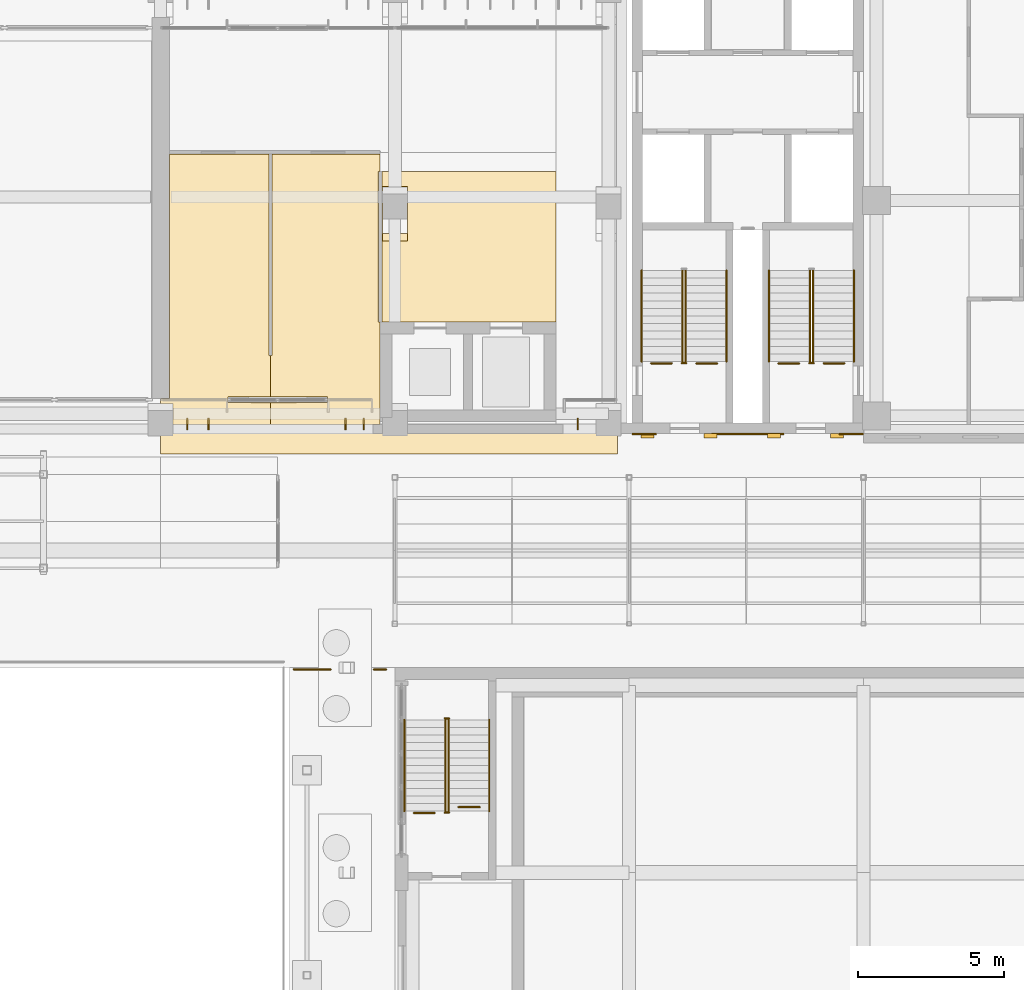
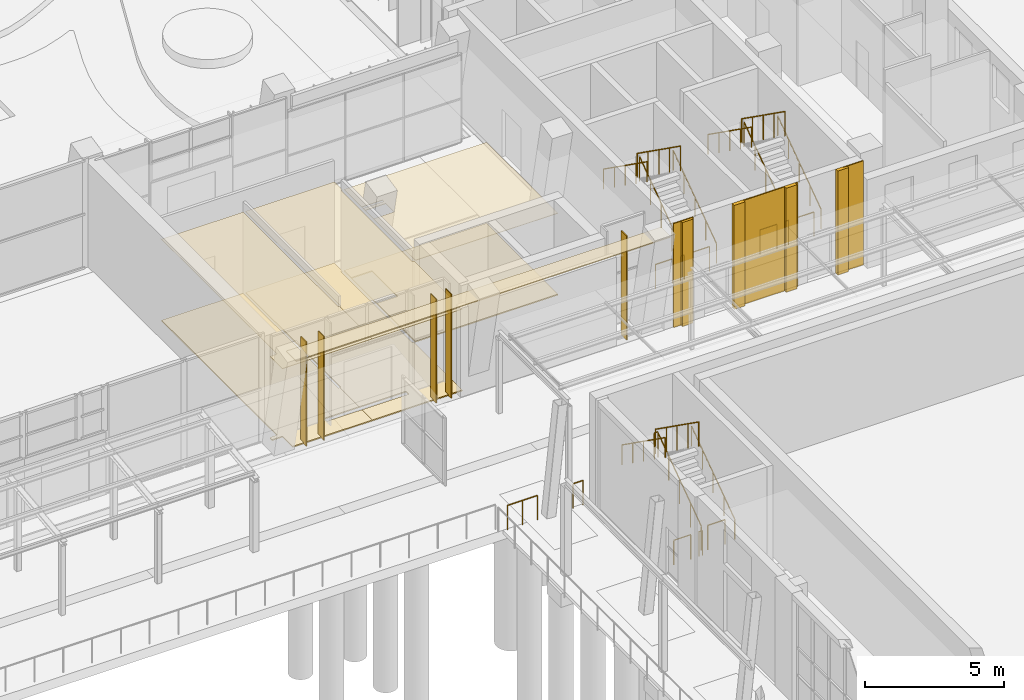
# One storey, part 125 of 144: 24 railings, 14 coverings, 5 shading devices.
"""IFC4 building model written with IfcOpenShell, lengths in metres."""

from ifc_helpers import new_model, si_unit, direction, frame, frame_2d, origin, origin_2d, place, context, subcontext, project, spatial, polyline, rectangle, circle, outline, extrude, material, layer, layer_set, type_object, element, save


model = new_model("IFC4")

# Units and contexts
model_context = context("Model", 3, precision=1e-05, world=origin(), true_north=direction((0.0, 1.0)))
body_context = subcontext(model_context, "Body", "Model", "MODEL_VIEW")
ifc_project = project(units=[si_unit("LENGTHUNIT", "METRE"), si_unit("AREAUNIT", "SQUARE_METRE"), si_unit("VOLUMEUNIT", "CUBIC_METRE"), si_unit("PLANEANGLEUNIT", "RADIAN"), si_unit("MASSUNIT", "GRAM", prefix="KILO")], contexts=[model_context])

# Site, building, storey
site_placement = place(None, origin())
site = spatial("IfcSite", under=ifc_project, at=site_placement, CompositionType="ELEMENT")
building_placement = place(site_placement, origin())
building = spatial("IfcBuilding", under=site, at=building_placement, Name="Lantern Court Media Centre", CompositionType="ELEMENT")
storey_placement = place(building_placement, origin())
storey = spatial("IfcBuildingStorey", under=building, at=storey_placement, Name="L00", CompositionType="ELEMENT", Elevation=0.0)

# Coverings
ifc_material_1 = material(Name="Carpet")
ifc_layer_1 = layer(ifc_material_1, 0.050048828125)
ifc_layer_set_1 = layer_set([ifc_layer_1], Name="Carpet")
covering_type_1 = type_object("IfcCoveringType", Name="Carpet floor finish", PredefinedType="FLOORING", material=ifc_layer_set_1)
covering_1_placement = place(storey_placement, origin())
element("IfcCovering", 1, at=covering_1_placement, inside=storey, type_object=covering_type_1, Name="Visitor Services and Booking floor finish", PredefinedType="FLOORING", context=body_context, shape_type="SweptSolid", body=[
    extrude(outline(polyline([(67.75, 48.300048828125), (64.429931640625, 48.300048828125), (64.429443359375, 49.02734375), (64.0, 49.030029296875), (64.0, 49.195068359375), (64.304931640625, 49.199951171875), (64.304931640625, 57.532470703125), (67.695068359375, 57.532470703125), (67.695068359375, 50.655029296875), (67.75, 50.64990234375), (67.75, 49.2548828125), (66.299560546875, 49.2548828125), (66.294921875, 49.050048828125), (67.75, 49.044921875), (67.75, 48.300048828125)])), origin(), (0.0, 0.0, 1.0), 0.050048828125),
])
covering_2_placement = place(storey_placement, origin())
element("IfcCovering", 2, at=covering_2_placement, inside=storey, type_object=covering_type_1, Name="Media Shop floor finish", PredefinedType="FLOORING", context=body_context, shape_type="SweptSolid", body=[
    extrude(outline(polyline([(71.5, 48.304931640625), (67.75, 48.300048828125), (67.75, 49.044921875), (69.705078125, 49.050048828125), (69.700439453125, 49.2548828125), (67.75, 49.2548828125), (67.75, 50.64990234375), (67.804931640625, 50.655029296875), (67.804931640625, 57.532470703125), (71.5, 57.532470703125), (71.5, 56.955078125), (71.4326171875, 56.949951171875), (71.4326171875, 51.800048828125), (71.4951171875, 51.794921875), (71.5, 48.304931640625)])), origin(), (0.0, 0.0, 1.0), 0.050048828125),
])

# Railings
ifc_material_2 = material(Name="Powder-coated steel", Category="steel")
railing_type_1 = type_object("IfcRailingType", Name="Floor edge guard 1100", PredefinedType="GUARDRAIL", material=ifc_material_2)
railing_1_placement = place(storey_placement, frame((72.64990234375, 35.040283203125, 0.0)))
element("IfcRailing", 3, at=railing_1_placement, inside=storey, type_object=railing_type_1, Name="L00 opening guard 5", PredefinedType="GUARDRAIL", context=body_context, shape_type="SweptSolid", body=[
    extrude(circle(Radius=0.02392578125, at=origin_2d()), frame((0.0, 0.0, 1.076171875), z_axis=(1.0, 0.0, 0.0), x_axis=(0.0, 1.0, 0.0)), (0.0, 0.0, 1.0), 0.703857421875),
    extrude(circle(Radius=0.02099609375, at=origin_2d()), origin(), (0.0, 0.0, 1.0), 1.052001953125),
    extrude(circle(Radius=0.02099609375, at=origin_2d()), frame((0.703857421875, 0.0, 0.0)), (0.0, 0.0, 1.0), 1.052001953125),
])
railing_2_placement = place(storey_placement, frame((74.176025390625, 35.240478515625, 0.0)))
element("IfcRailing", 4, at=railing_2_placement, inside=storey, type_object=railing_type_1, Name="L00 opening guard 6", PredefinedType="GUARDRAIL", context=body_context, shape_type="SweptSolid", body=[
    extrude(circle(Radius=0.02392578125, at=origin_2d()), frame((0.0, 0.0, 1.076171875), z_axis=(1.0, 0.0, 0.0), x_axis=(0.0, 1.0, 0.0)), (0.0, 0.0, 1.0), 0.723876953125),
    extrude(circle(Radius=0.02099609375, at=origin_2d()), origin(), (0.0, 0.0, 1.0), 1.052001953125),
    extrude(circle(Radius=0.02099609375, at=origin_2d()), frame((0.723876953125, 0.0, 0.0)), (0.0, 0.0, 1.0), 1.052001953125),
])
railing_3_placement = place(storey_placement, frame((68.550048828125, 39.93994140625, 0.0)))
element("IfcRailing", 5, at=railing_3_placement, inside=storey, type_object=railing_type_1, Name="L00 opening guard 12", PredefinedType="GUARDRAIL", context=body_context, shape_type="SweptSolid", body=[
    extrude(circle(Radius=0.02392578125, at=origin_2d()), frame((0.0, 0.0, 1.076171875), z_axis=(1.0, 0.0, 0.0), x_axis=(0.0, 1.0, 0.0)), (0.0, 0.0, 1.0), 1.25),
    extrude(circle(Radius=0.02099609375, at=origin_2d()), origin(), (0.0, 0.0, 1.0), 1.052001953125),
    extrude(circle(Radius=0.02099609375, at=origin_2d()), frame((0.625, 0.0, 0.0)), (0.0, 0.0, 1.0), 1.052001953125),
    extrude(circle(Radius=0.02099609375, at=origin_2d()), frame((1.25, 0.0, 0.0)), (0.0, 0.0, 1.0), 1.052001953125),
])
railing_4_placement = place(storey_placement, frame((71.286865234375, 39.93994140625, 0.0)))
element("IfcRailing", 6, at=railing_4_placement, inside=storey, type_object=railing_type_1, Name="L00 opening guard 13", PredefinedType="GUARDRAIL", context=body_context, shape_type="SweptSolid", body=[
    extrude(circle(Radius=0.02392578125, at=origin_2d()), frame((0.0, 0.0, 1.076171875), z_axis=(1.0, 0.0, 0.0), x_axis=(0.0, 1.0, 0.0)), (0.0, 0.0, 1.0), 0.4130859375),
    extrude(circle(Radius=0.02099609375, at=origin_2d()), origin(), (0.0, 0.0, 1.0), 1.052001953125),
    extrude(circle(Radius=0.02099609375, at=origin_2d()), frame((0.4130859375, 0.0, 0.0)), (0.0, 0.0, 1.0), 1.052001953125),
])
railing_5_placement = place(storey_placement, frame((87.35009765625, 50.390380859375, 0.0)))
element("IfcRailing", 7, at=railing_5_placement, inside=storey, type_object=railing_type_1, Name="L00 opening guard 36", PredefinedType="GUARDRAIL", context=body_context, shape_type="SweptSolid", body=[
    extrude(circle(Radius=0.02392578125, at=origin_2d()), frame((0.0, 0.0, 1.076171875), z_axis=(-1.0, 0.0, 0.0), x_axis=(0.0, -1.0, 0.0)), (0.0, 0.0, 1.0), 0.703857421875),
    extrude(circle(Radius=0.02099609375, at=origin_2d()), origin(), (0.0, 0.0, 1.0), 1.052001953125),
    extrude(circle(Radius=0.02099609375, at=origin_2d()), frame((-0.703857421875, 0.0, 0.0)), (0.0, 0.0, 1.0), 1.052001953125),
])
for number, where, name in (
    (8, (85.8037109375, 50.390380859375, 0.0), "L00 opening guard 37"),
    (9, (83.0, 50.390380859375, 0.0), "L00 opening guard 38"),
    (10, (81.45361328125, 50.390380859375, 0.0), "L00 opening guard 39"),
):
    element("IfcRailing", number, at=place(storey_placement, frame(where)), inside=storey, type_object=railing_type_1, Name=name, PredefinedType="GUARDRAIL", context=body_context, shape_type="SweptSolid", body=[
        extrude(circle(Radius=0.02392578125, at=origin_2d()), frame((0.0, 0.0, 1.076171875), z_axis=(-1.0, 0.0, 0.0), x_axis=(0.0, -1.0, 0.0)), (0.0, 0.0, 1.0), 0.70361328125),
        extrude(circle(Radius=0.02099609375, at=origin_2d()), origin(), (0.0, 0.0, 1.0), 1.052001953125),
        extrude(circle(Radius=0.02099609375, at=origin_2d()), frame((-0.70361328125, 0.0, 0.0)), (0.0, 0.0, 1.0), 1.052001953125),
    ])

# Coverings
ifc_material_3 = material(Name="Honed limestone cladding", Category="masonry")
ifc_layer_2 = layer(ifc_material_3, 0.050048828125)
ifc_layer_set_2 = layer_set([ifc_layer_2], Name="Honed limestone cladding")
covering_type_2 = type_object("IfcCoveringType", Name="Limestone cladding panel 50", PredefinedType="CLADDING", material=ifc_layer_set_2)
covering_3_placement = place(storey_placement, frame((80.10009765625, 47.97509765625, 0.0), z_axis=(0.0, 0.0, 1.0), x_axis=(1.0, 0.0, 0.0)))
element("IfcCovering", 11, at=covering_3_placement, inside=storey, type_object=covering_type_2, Name="Limestone cladding SE stair core", PredefinedType="CLADDING", context=body_context, shape_type="SweptSolid", body=[
    extrude(rectangle(XDim=0.824951171875, YDim=0.050048828125, at=frame_2d((0.41259765625, 0.0))), origin(), (0.0, 0.0, 1.0), 4.580078125),
])
covering_4_placement = place(storey_placement, frame((82.824951171875, 47.97509765625, 0.0), z_axis=(0.0, 0.0, 1.0), x_axis=(1.0, 0.0, 0.0)))
element("IfcCovering", 12, at=covering_4_placement, inside=storey, type_object=covering_type_2, Name="Limestone cladding SE stair core", PredefinedType="CLADDING", context=body_context, shape_type="SweptSolid", body=[
    extrude(rectangle(XDim=2.449951171875, YDim=0.050048828125, at=frame_2d((1.22509765625, 0.0))), origin(), (0.0, 0.0, 1.0), 4.580078125),
])
covering_5_placement = place(storey_placement, frame((87.175048828125, 47.97509765625, 0.0), z_axis=(0.0, 0.0, 1.0), x_axis=(1.0, 0.0, 0.0)))
element("IfcCovering", 13, at=covering_5_placement, inside=storey, type_object=covering_type_2, Name="Limestone cladding SE stair core", PredefinedType="CLADDING", context=body_context, shape_type="SweptSolid", body=[
    extrude(rectangle(XDim=0.824951171875, YDim=0.050048828125, at=frame_2d((0.41259765625, 0.0))), origin(), (0.0, 0.0, 1.0), 4.580078125),
])
ifc_layer_3 = layer(ifc_material_3, 0.14990234375)
ifc_layer_set_3 = layer_set([ifc_layer_3], Name="Honed limestone cladding")
covering_type_3 = type_object("IfcCoveringType", Name="Limestone pilaster cladding 150", PredefinedType="CLADDING", material=ifc_layer_set_3)
covering_6_placement = place(storey_placement, frame((80.39990234375, 47.925048828125, 0.0), z_axis=(0.0, 0.0, 1.0), x_axis=(1.0, 0.0, 0.0)))
element("IfcCovering", 14, at=covering_6_placement, inside=storey, type_object=covering_type_3, Name="Limestone pilaster rib", PredefinedType="CLADDING", context=body_context, shape_type="SweptSolid", body=[
    extrude(rectangle(XDim=0.4501953125, YDim=0.14990234375, at=frame_2d((0.22509765625, 0.0))), origin(), (0.0, 0.0, 1.0), 4.580078125),
])
covering_7_placement = place(storey_placement, frame((82.558349609375, 47.925048828125, 0.0), z_axis=(0.0, 0.0, 1.0), x_axis=(1.0, 0.0, 0.0)))
element("IfcCovering", 15, at=covering_7_placement, inside=storey, type_object=covering_type_3, Name="Limestone pilaster rib", PredefinedType="CLADDING", context=body_context, shape_type="SweptSolid", body=[
    extrude(rectangle(XDim=0.449951171875, YDim=0.14990234375, at=frame_2d((0.22509765625, 0.0))), origin(), (0.0, 0.0, 1.0), 4.580078125),
])
covering_8_placement = place(storey_placement, frame((84.716552734375, 47.925048828125, 0.0), z_axis=(0.0, 0.0, 1.0), x_axis=(1.0, 0.0, 0.0)))
element("IfcCovering", 16, at=covering_8_placement, inside=storey, type_object=covering_type_3, Name="Limestone pilaster rib", PredefinedType="CLADDING", context=body_context, shape_type="SweptSolid", body=[
    extrude(rectangle(XDim=0.4501953125, YDim=0.14990234375, at=frame_2d((0.22509765625, 0.0))), origin(), (0.0, 0.0, 1.0), 4.580078125),
])
covering_9_placement = place(storey_placement, frame((86.875, 47.925048828125, 0.0), z_axis=(0.0, 0.0, 1.0), x_axis=(1.0, 0.0, 0.0)))
element("IfcCovering", 17, at=covering_9_placement, inside=storey, type_object=covering_type_3, Name="Limestone pilaster rib", PredefinedType="CLADDING", context=body_context, shape_type="SweptSolid", body=[
    extrude(rectangle(XDim=0.449951171875, YDim=0.14990234375, at=frame_2d((0.22509765625, 0.0))), origin(), (0.0, 0.0, 1.0), 4.580078125),
])
ifc_material_4 = material(Name="White fibre cement soffit board")
ifc_layer_4 = layer(ifc_material_4, 0.0400390625)
ifc_layer_set_4 = layer_set([ifc_layer_4], Name="White fibre cement soffit board")
covering_type_4 = type_object("IfcCoveringType", Name="Soffit lining 40", PredefinedType="CLADDING", material=ifc_layer_set_4)
covering_10_placement = place(storey_placement, frame((64.0, 47.64990234375, 4.5400390625), z_axis=(0.0, 0.0, 1.0), x_axis=(1.0, 0.0, 0.0)))
element("IfcCovering", 18, at=covering_10_placement, inside=storey, type_object=covering_type_4, Name="Soffit lining S L00", PredefinedType="CLADDING", context=body_context, shape_type="SweptSolid", body=[
    extrude(rectangle(XDim=15.60009765625, YDim=0.699951171875, at=frame_2d((7.800048828125, 0.0))), origin(), (0.0, 0.0, 1.0), 0.0400390625),
])

# Railings
railing_type_2 = type_object("IfcRailingType", Name="Stair guard 1100", PredefinedType="GUARDRAIL", material=ifc_material_2)
railing_6_placement = place(storey_placement, frame((86.27587890625, 50.449951171875, 0.1845703125)))
element("IfcRailing", 19, at=railing_6_placement, inside=storey, type_object=railing_type_2, Name="L00 ST-SEA stair guard 1", PredefinedType="GUARDRAIL", context=body_context, shape_type="SweptSolid", body=[
    extrude(circle(Radius=0.02392578125, at=origin_2d()), frame((0.0, 0.0, 1.076171875), z_axis=(0.0, 0.815376961211, 0.578930402662), x_axis=(-1.0, 0.0, 0.0)), (0.0, 0.0, 1.0), 3.82666015625),
    extrude(circle(Radius=0.02099609375, at=origin_2d()), origin(), (0.0, 0.0, 1.0), 1.052001953125),
    extrude(circle(Radius=0.02099609375, at=origin_2d()), frame((0.0, 0.780029296875, 0.5537109375)), (0.0, 0.0, 1.0), 1.052001953125),
    extrude(circle(Radius=0.02099609375, at=origin_2d()), frame((0.0, 1.56005859375, 1.107666015625)), (0.0, 0.0, 1.0), 1.052001953125),
    extrude(circle(Radius=0.02099609375, at=origin_2d()), frame((0.0, 2.340087890625, 1.66162109375)), (0.0, 0.0, 1.0), 1.052001953125),
    extrude(circle(Radius=0.02099609375, at=origin_2d()), frame((0.0, 3.1201171875, 2.21533203125)), (0.0, 0.0, 1.0), 1.052001953125),
])
railing_7_placement = place(storey_placement, frame((86.174072265625, 53.570068359375, 2.584716796875)))
element("IfcRailing", 20, at=railing_7_placement, inside=storey, type_object=railing_type_2, Name="L00 ST-SEA stair guard 3", PredefinedType="GUARDRAIL", context=body_context, shape_type="SweptSolid", body=[
    extrude(circle(Radius=0.02392578125, at=origin_2d()), frame((0.0, 0.0, 1.076171875), z_axis=(0.0, -0.815376961211, 0.578930402662), x_axis=(1.0, 0.0, 0.0)), (0.0, 0.0, 1.0), 3.82666015625),
    extrude(circle(Radius=0.02099609375, at=origin_2d()), origin(), (0.0, 0.0, 1.0), 1.052001953125),
    extrude(circle(Radius=0.02099609375, at=origin_2d()), frame((0.0, -0.780029296875, 0.5537109375)), (0.0, 0.0, 1.0), 1.052001953125),
    extrude(circle(Radius=0.02099609375, at=origin_2d()), frame((0.0, -1.56005859375, 1.107666015625)), (0.0, 0.0, 1.0), 1.052001953125),
    extrude(circle(Radius=0.02099609375, at=origin_2d()), frame((0.0, -2.340087890625, 1.66162109375)), (0.0, 0.0, 1.0), 1.052001953125),
    extrude(circle(Radius=0.02099609375, at=origin_2d()), frame((0.0, -3.1201171875, 2.21533203125)), (0.0, 0.0, 1.0), 1.052001953125),
])
railing_8_placement = place(storey_placement, frame((86.300048828125, 50.39990234375, 0.0)))
element("IfcRailing", 21, at=railing_8_placement, inside=storey, type_object=railing_type_2, Name="L00 ST-SEA stair guard 4", PredefinedType="GUARDRAIL", context=body_context, shape_type="SweptSolid", body=[
    extrude(circle(Radius=0.02392578125, at=origin_2d()), frame((0.0, 0.0, 1.076171875), z_axis=(-1.0, 0.0, 0.0), x_axis=(0.0, -1.0, 0.0)), (0.0, 0.0, 1.0), 0.150146484375),
    extrude(circle(Radius=0.02099609375, at=origin_2d()), origin(), (0.0, 0.0, 1.0), 1.052001953125),
    extrude(circle(Radius=0.02099609375, at=origin_2d()), frame((-0.150146484375, 0.0, 0.0)), (0.0, 0.0, 1.0), 1.052001953125),
])
railing_9_placement = place(storey_placement, frame((81.926025390625, 50.449951171875, 0.1845703125)))
element("IfcRailing", 22, at=railing_9_placement, inside=storey, type_object=railing_type_2, Name="L00 ST-SEB stair guard 1", PredefinedType="GUARDRAIL", context=body_context, shape_type="SweptSolid", body=[
    extrude(circle(Radius=0.02392578125, at=origin_2d()), frame((0.0, 0.0, 1.076171875), z_axis=(0.0, 0.815376961211, 0.578930402662), x_axis=(-1.0, 0.0, 0.0)), (0.0, 0.0, 1.0), 3.82666015625),
    extrude(circle(Radius=0.02099609375, at=origin_2d()), origin(), (0.0, 0.0, 1.0), 1.052001953125),
    extrude(circle(Radius=0.02099609375, at=origin_2d()), frame((0.0, 0.780029296875, 0.5537109375)), (0.0, 0.0, 1.0), 1.052001953125),
    extrude(circle(Radius=0.02099609375, at=origin_2d()), frame((0.0, 1.56005859375, 1.107666015625)), (0.0, 0.0, 1.0), 1.052001953125),
    extrude(circle(Radius=0.02099609375, at=origin_2d()), frame((0.0, 2.340087890625, 1.66162109375)), (0.0, 0.0, 1.0), 1.052001953125),
    extrude(circle(Radius=0.02099609375, at=origin_2d()), frame((0.0, 3.1201171875, 2.21533203125)), (0.0, 0.0, 1.0), 1.052001953125),
])
railing_10_placement = place(storey_placement, frame((81.823974609375, 53.570068359375, 2.584716796875)))
element("IfcRailing", 23, at=railing_10_placement, inside=storey, type_object=railing_type_2, Name="L00 ST-SEB stair guard 3", PredefinedType="GUARDRAIL", context=body_context, shape_type="SweptSolid", body=[
    extrude(circle(Radius=0.02392578125, at=origin_2d()), frame((0.0, 0.0, 1.076171875), z_axis=(0.0, -0.815376961211, 0.578930402662), x_axis=(1.0, 0.0, 0.0)), (0.0, 0.0, 1.0), 3.82666015625),
    extrude(circle(Radius=0.02099609375, at=origin_2d()), origin(), (0.0, 0.0, 1.0), 1.052001953125),
    extrude(circle(Radius=0.02099609375, at=origin_2d()), frame((0.0, -0.780029296875, 0.5537109375)), (0.0, 0.0, 1.0), 1.052001953125),
    extrude(circle(Radius=0.02099609375, at=origin_2d()), frame((0.0, -1.56005859375, 1.107666015625)), (0.0, 0.0, 1.0), 1.052001953125),
    extrude(circle(Radius=0.02099609375, at=origin_2d()), frame((0.0, -2.340087890625, 1.66162109375)), (0.0, 0.0, 1.0), 1.052001953125),
    extrude(circle(Radius=0.02099609375, at=origin_2d()), frame((0.0, -3.1201171875, 2.21533203125)), (0.0, 0.0, 1.0), 1.052001953125),
])
railing_11_placement = place(storey_placement, frame((81.949951171875, 50.39990234375, 0.0)))
element("IfcRailing", 24, at=railing_11_placement, inside=storey, type_object=railing_type_2, Name="L00 ST-SEB stair guard 4", PredefinedType="GUARDRAIL", context=body_context, shape_type="SweptSolid", body=[
    extrude(circle(Radius=0.02392578125, at=origin_2d()), frame((0.0, 0.0, 1.076171875), z_axis=(-1.0, 0.0, 0.0), x_axis=(0.0, -1.0, 0.0)), (0.0, 0.0, 1.0), 0.14990234375),
    extrude(circle(Radius=0.02099609375, at=origin_2d()), origin(), (0.0, 0.0, 1.0), 1.052001953125),
    extrude(circle(Radius=0.02099609375, at=origin_2d()), frame((-0.14990234375, 0.0, 0.0)), (0.0, 0.0, 1.0), 1.052001953125),
])
railing_12_placement = place(storey_placement, frame((73.825927734375, 35.10009765625, 0.1845703125)))
element("IfcRailing", 25, at=railing_12_placement, inside=storey, type_object=railing_type_2, Name="L00 ST-V2-ST-W stair guard 1", PredefinedType="GUARDRAIL", context=body_context, shape_type="SweptSolid", body=[
    extrude(circle(Radius=0.02392578125, at=origin_2d()), frame((0.0, 0.0, 1.076171875), z_axis=(0.0, 0.815355575968, 0.57896052088), x_axis=(-1.0, 0.0, 0.0)), (0.0, 0.0, 1.0), 3.826416015625),
    extrude(circle(Radius=0.02099609375, at=origin_2d()), origin(), (0.0, 0.0, 1.0), 1.052001953125),
    extrude(circle(Radius=0.02099609375, at=origin_2d()), frame((0.0, 0.780029296875, 0.5537109375)), (0.0, 0.0, 1.0), 1.052001953125),
    extrude(circle(Radius=0.02099609375, at=origin_2d()), frame((0.0, 1.56005859375, 1.107666015625)), (0.0, 0.0, 1.0), 1.052001953125),
    extrude(circle(Radius=0.02099609375, at=origin_2d()), frame((0.0, 2.33984375, 1.66162109375)), (0.0, 0.0, 1.0), 1.052001953125),
    extrude(circle(Radius=0.02099609375, at=origin_2d()), frame((0.0, 3.119873046875, 2.21533203125)), (0.0, 0.0, 1.0), 1.052001953125),
])
railing_13_placement = place(storey_placement, frame((73.85009765625, 38.27001953125, 2.39990234375)))
element("IfcRailing", 26, at=railing_13_placement, inside=storey, type_object=railing_type_2, Name="L00 ST-V2-ST-W stair guard 2", PredefinedType="GUARDRAIL", context=body_context, shape_type="SweptSolid", body=[
    extrude(circle(Radius=0.02392578125, at=origin_2d()), frame((0.0, 0.0, 1.076171875), z_axis=(-1.0, 0.0, 0.0), x_axis=(0.0, -1.0, 0.0)), (0.0, 0.0, 1.0), 0.150146484375),
    extrude(circle(Radius=0.02099609375, at=origin_2d()), origin(), (0.0, 0.0, 1.0), 1.052001953125),
    extrude(circle(Radius=0.02099609375, at=origin_2d()), frame((-0.150146484375, 0.0, 0.0)), (0.0, 0.0, 1.0), 1.052001953125),
])
railing_14_placement = place(storey_placement, frame((73.72412109375, 38.219970703125, 2.584716796875)))
element("IfcRailing", 27, at=railing_14_placement, inside=storey, type_object=railing_type_2, Name="L00 ST-V2-ST-W stair guard 3", PredefinedType="GUARDRAIL", context=body_context, shape_type="SweptSolid", body=[
    extrude(circle(Radius=0.02392578125, at=origin_2d()), frame((0.0, 0.0, 1.076171875), z_axis=(0.0, -0.815355575968, 0.57896052088), x_axis=(1.0, 0.0, 0.0)), (0.0, 0.0, 1.0), 3.826416015625),
    extrude(circle(Radius=0.02099609375, at=origin_2d()), origin(), (0.0, 0.0, 1.0), 1.052001953125),
    extrude(circle(Radius=0.02099609375, at=origin_2d()), frame((0.0, -0.780029296875, 0.5537109375)), (0.0, 0.0, 1.0), 1.052001953125),
    extrude(circle(Radius=0.02099609375, at=origin_2d()), frame((0.0, -1.56005859375, 1.107666015625)), (0.0, 0.0, 1.0), 1.052001953125),
    extrude(circle(Radius=0.02099609375, at=origin_2d()), frame((0.0, -2.33984375, 1.66162109375)), (0.0, 0.0, 1.0), 1.052001953125),
    extrude(circle(Radius=0.02099609375, at=origin_2d()), frame((0.0, -3.119873046875, 2.21533203125)), (0.0, 0.0, 1.0), 1.052001953125),
])
railing_15_placement = place(storey_placement, frame((73.85009765625, 35.050048828125, 0.0)))
element("IfcRailing", 28, at=railing_15_placement, inside=storey, type_object=railing_type_2, Name="L00 ST-V2-ST-W stair guard 4", PredefinedType="GUARDRAIL", context=body_context, shape_type="SweptSolid", body=[
    extrude(circle(Radius=0.02392578125, at=origin_2d()), frame((0.0, 0.0, 1.076171875), z_axis=(-1.0, 0.0, 0.0), x_axis=(0.0, -1.0, 0.0)), (0.0, 0.0, 1.0), 0.150146484375),
    extrude(circle(Radius=0.02099609375, at=origin_2d()), origin(), (0.0, 0.0, 1.0), 1.052001953125),
    extrude(circle(Radius=0.02099609375, at=origin_2d()), frame((-0.150146484375, 0.0, 0.0)), (0.0, 0.0, 1.0), 1.052001953125),
])
railing_type_3 = type_object("IfcRailingType", Name="Stair handrail 900", PredefinedType="HANDRAIL", material=ifc_material_2)
railing_16_placement = place(storey_placement, frame((87.674072265625, 50.449951171875, 0.1845703125)))
element("IfcRailing", 29, at=railing_16_placement, inside=storey, type_object=railing_type_3, Name="L00 ST-SEA stair handrail 1", PredefinedType="HANDRAIL", context=body_context, shape_type="SweptSolid", body=[
    extrude(circle(Radius=0.02392578125, at=origin_2d()), frame((0.0, 0.0, 0.8759765625), z_axis=(0.0, 0.815376961211, 0.578930402662), x_axis=(-1.0, 0.0, 0.0)), (0.0, 0.0, 1.0), 3.82666015625),
    extrude(circle(Radius=0.02099609375, at=origin_2d()), origin(), (0.0, 0.0, 1.0), 0.851806640625),
    extrude(circle(Radius=0.02099609375, at=origin_2d()), frame((0.0, 0.780029296875, 0.5537109375)), (0.0, 0.0, 1.0), 0.851806640625),
    extrude(circle(Radius=0.02099609375, at=origin_2d()), frame((0.0, 1.56005859375, 1.107666015625)), (0.0, 0.0, 1.0), 0.851806640625),
    extrude(circle(Radius=0.02099609375, at=origin_2d()), frame((0.0, 2.340087890625, 1.66162109375)), (0.0, 0.0, 1.0), 0.851806640625),
    extrude(circle(Radius=0.02099609375, at=origin_2d()), frame((0.0, 3.1201171875, 2.21533203125)), (0.0, 0.0, 1.0), 0.851806640625),
])
railing_17_placement = place(storey_placement, frame((84.77587890625, 53.570068359375, 2.584716796875)))
element("IfcRailing", 30, at=railing_17_placement, inside=storey, type_object=railing_type_3, Name="L00 ST-SEA stair handrail 2", PredefinedType="HANDRAIL", context=body_context, shape_type="SweptSolid", body=[
    extrude(circle(Radius=0.02392578125, at=origin_2d()), frame((0.0, 0.0, 0.8759765625), z_axis=(0.0, -0.815376961211, 0.578930402662), x_axis=(1.0, 0.0, 0.0)), (0.0, 0.0, 1.0), 3.82666015625),
    extrude(circle(Radius=0.02099609375, at=origin_2d()), origin(), (0.0, 0.0, 1.0), 0.851806640625),
    extrude(circle(Radius=0.02099609375, at=origin_2d()), frame((0.0, -0.780029296875, 0.5537109375)), (0.0, 0.0, 1.0), 0.851806640625),
    extrude(circle(Radius=0.02099609375, at=origin_2d()), frame((0.0, -1.56005859375, 1.107666015625)), (0.0, 0.0, 1.0), 0.851806640625),
    extrude(circle(Radius=0.02099609375, at=origin_2d()), frame((0.0, -2.340087890625, 1.66162109375)), (0.0, 0.0, 1.0), 0.851806640625),
    extrude(circle(Radius=0.02099609375, at=origin_2d()), frame((0.0, -3.1201171875, 2.21533203125)), (0.0, 0.0, 1.0), 0.851806640625),
])
railing_18_placement = place(storey_placement, frame((83.323974609375, 50.449951171875, 0.1845703125)))
element("IfcRailing", 31, at=railing_18_placement, inside=storey, type_object=railing_type_3, Name="L00 ST-SEB stair handrail 1", PredefinedType="HANDRAIL", context=body_context, shape_type="SweptSolid", body=[
    extrude(circle(Radius=0.02392578125, at=origin_2d()), frame((0.0, 0.0, 0.8759765625), z_axis=(0.0, 0.815376961211, 0.578930402662), x_axis=(-1.0, 0.0, 0.0)), (0.0, 0.0, 1.0), 3.82666015625),
    extrude(circle(Radius=0.02099609375, at=origin_2d()), origin(), (0.0, 0.0, 1.0), 0.851806640625),
    extrude(circle(Radius=0.02099609375, at=origin_2d()), frame((0.0, 0.780029296875, 0.5537109375)), (0.0, 0.0, 1.0), 0.851806640625),
    extrude(circle(Radius=0.02099609375, at=origin_2d()), frame((0.0, 1.56005859375, 1.107666015625)), (0.0, 0.0, 1.0), 0.851806640625),
    extrude(circle(Radius=0.02099609375, at=origin_2d()), frame((0.0, 2.340087890625, 1.66162109375)), (0.0, 0.0, 1.0), 0.851806640625),
    extrude(circle(Radius=0.02099609375, at=origin_2d()), frame((0.0, 3.1201171875, 2.21533203125)), (0.0, 0.0, 1.0), 0.851806640625),
])
railing_19_placement = place(storey_placement, frame((80.426025390625, 53.570068359375, 2.584716796875)))
element("IfcRailing", 32, at=railing_19_placement, inside=storey, type_object=railing_type_3, Name="L00 ST-SEB stair handrail 2", PredefinedType="HANDRAIL", context=body_context, shape_type="SweptSolid", body=[
    extrude(circle(Radius=0.02392578125, at=origin_2d()), frame((0.0, 0.0, 0.8759765625), z_axis=(0.0, -0.815376961211, 0.578930402662), x_axis=(1.0, 0.0, 0.0)), (0.0, 0.0, 1.0), 3.82666015625),
    extrude(circle(Radius=0.02099609375, at=origin_2d()), origin(), (0.0, 0.0, 1.0), 0.851806640625),
    extrude(circle(Radius=0.02099609375, at=origin_2d()), frame((0.0, -0.780029296875, 0.5537109375)), (0.0, 0.0, 1.0), 0.851806640625),
    extrude(circle(Radius=0.02099609375, at=origin_2d()), frame((0.0, -1.56005859375, 1.107666015625)), (0.0, 0.0, 1.0), 0.851806640625),
    extrude(circle(Radius=0.02099609375, at=origin_2d()), frame((0.0, -2.340087890625, 1.66162109375)), (0.0, 0.0, 1.0), 0.851806640625),
    extrude(circle(Radius=0.02099609375, at=origin_2d()), frame((0.0, -3.1201171875, 2.21533203125)), (0.0, 0.0, 1.0), 0.851806640625),
])
railing_20_placement = place(storey_placement, frame((75.22412109375, 35.10009765625, 0.1845703125)))
element("IfcRailing", 33, at=railing_20_placement, inside=storey, type_object=railing_type_3, Name="L00 ST-V2-ST-W stair handrail 1", PredefinedType="HANDRAIL", context=body_context, shape_type="SweptSolid", body=[
    extrude(circle(Radius=0.02392578125, at=origin_2d()), frame((0.0, 0.0, 0.8759765625), z_axis=(0.0, 0.815355575968, 0.57896052088), x_axis=(-1.0, 0.0, 0.0)), (0.0, 0.0, 1.0), 3.826416015625),
    extrude(circle(Radius=0.02099609375, at=origin_2d()), origin(), (0.0, 0.0, 1.0), 0.851806640625),
    extrude(circle(Radius=0.02099609375, at=origin_2d()), frame((0.0, 0.780029296875, 0.5537109375)), (0.0, 0.0, 1.0), 0.851806640625),
    extrude(circle(Radius=0.02099609375, at=origin_2d()), frame((0.0, 1.56005859375, 1.107666015625)), (0.0, 0.0, 1.0), 0.851806640625),
    extrude(circle(Radius=0.02099609375, at=origin_2d()), frame((0.0, 2.33984375, 1.66162109375)), (0.0, 0.0, 1.0), 0.851806640625),
    extrude(circle(Radius=0.02099609375, at=origin_2d()), frame((0.0, 3.119873046875, 2.21533203125)), (0.0, 0.0, 1.0), 0.851806640625),
])
railing_21_placement = place(storey_placement, frame((72.325927734375, 38.219970703125, 2.584716796875)))
element("IfcRailing", 34, at=railing_21_placement, inside=storey, type_object=railing_type_3, Name="L00 ST-V2-ST-W stair handrail 2", PredefinedType="HANDRAIL", context=body_context, shape_type="SweptSolid", body=[
    extrude(circle(Radius=0.02392578125, at=origin_2d()), frame((0.0, 0.0, 0.8759765625), z_axis=(0.0, -0.815355575968, 0.57896052088), x_axis=(1.0, 0.0, 0.0)), (0.0, 0.0, 1.0), 3.826416015625),
    extrude(circle(Radius=0.02099609375, at=origin_2d()), origin(), (0.0, 0.0, 1.0), 0.851806640625),
    extrude(circle(Radius=0.02099609375, at=origin_2d()), frame((0.0, -0.780029296875, 0.5537109375)), (0.0, 0.0, 1.0), 0.851806640625),
    extrude(circle(Radius=0.02099609375, at=origin_2d()), frame((0.0, -1.56005859375, 1.107666015625)), (0.0, 0.0, 1.0), 0.851806640625),
    extrude(circle(Radius=0.02099609375, at=origin_2d()), frame((0.0, -2.33984375, 1.66162109375)), (0.0, 0.0, 1.0), 0.851806640625),
    extrude(circle(Radius=0.02099609375, at=origin_2d()), frame((0.0, -3.119873046875, 2.21533203125)), (0.0, 0.0, 1.0), 0.851806640625),
])

# Coverings
ifc_material_5 = material(Name="Mineral fibre ceiling tile")
ifc_layer_5 = layer(ifc_material_5, 0.02001953125)
ifc_layer_set_5 = layer_set([ifc_layer_5], Name="Mineral fibre ceiling tile")
covering_type_5 = type_object("IfcCoveringType", Name="Suspended ceiling tile", PredefinedType="CEILING", material=ifc_layer_set_5)
covering_11_placement = place(storey_placement, frame((0.0, 0.0, 3.60009765625)))
element("IfcCovering", 35, at=covering_11_placement, inside=storey, type_object=covering_type_5, Name="Lift Lobby ceiling", PredefinedType="CEILING", context=body_context, shape_type="SweptSolid", body=[
    extrude(outline(polyline([(77.5, 56.949951171875), (77.5, 51.800537109375), (71.56298828125, 51.800537109375), (71.56298828125, 56.949951171875), (77.5, 56.949951171875)]), holes=[polyline([(72.425048828125, 55.574462890625), (72.425048828125, 55.67333984375), (71.574462890625, 55.6728515625), (71.574951171875, 55.574462890625), (72.425048828125, 55.574462890625)]), polyline([(72.425048828125, 54.822509765625), (72.42529296875, 55.425537109375), (71.574462890625, 55.42529296875), (71.57470703125, 54.822509765625), (72.425048828125, 54.822509765625)])]), origin(), (0.0, 0.0, 1.0), 0.02001953125),
])
covering_12_placement = place(storey_placement, frame((0.0, 0.0, 3.60009765625)))
element("IfcCovering", 36, at=covering_12_placement, inside=storey, type_object=covering_type_5, Name="Visitor Services and Booking ceiling", PredefinedType="CEILING", context=body_context, shape_type="SweptSolid", body=[
    extrude(outline(polyline([(67.75, 48.300048828125), (64.0, 48.300048828125), (64.0, 49.199462890625), (64.300537109375, 49.199951171875), (64.300537109375, 57.60009765625), (64.304931640625, 57.537109375), (67.699462890625, 57.537109375), (67.699462890625, 50.655029296875), (67.75, 50.654541015625), (67.75, 49.25048828125), (66.300048828125, 49.25048828125), (66.299560546875, 49.050048828125), (67.75, 49.049560546875), (67.75, 48.300048828125)])), origin(), (0.0, 0.0, 1.0), 0.02001953125),
])
covering_13_placement = place(storey_placement, frame((0.0, 0.0, 3.60009765625)))
element("IfcCovering", 37, at=covering_13_placement, inside=storey, type_object=covering_type_5, Name="Media Shop ceiling", PredefinedType="CEILING", context=body_context, shape_type="SweptSolid", body=[
    extrude(outline(polyline([(71.5, 48.300537109375), (67.75, 48.300048828125), (67.75, 49.049560546875), (69.700439453125, 49.050048828125), (69.699951171875, 49.25048828125), (67.75, 49.25048828125), (67.75, 50.654541015625), (67.800537109375, 50.655029296875), (67.800537109375, 57.537109375), (71.5, 57.537109375), (71.5, 56.950439453125), (71.43701171875, 56.949951171875), (71.43701171875, 51.800048828125), (71.49951171875, 51.799560546875), (71.5, 48.300537109375)])), origin(), (0.0, 0.0, 1.0), 0.02001953125),
])
ifc_material_6 = material(Name="Terrazzo")
ifc_layer_6 = layer(ifc_material_6, 0.050048828125)
ifc_layer_set_6 = layer_set([ifc_layer_6], Name="Terrazzo")
covering_type_6 = type_object("IfcCoveringType", Name="Terrazzo floor finish", PredefinedType="FLOORING", material=ifc_layer_set_6)
covering_14_placement = place(storey_placement, origin())
element("IfcCovering", 38, at=covering_14_placement, inside=storey, type_object=covering_type_6, Name="Lift Lobby floor finish", PredefinedType="FLOORING", context=body_context, shape_type="SweptSolid", body=[
    extrude(outline(polyline([(77.5, 56.949951171875), (77.5, 51.804931640625), (71.5673828125, 51.804931640625), (71.5673828125, 56.949951171875), (77.5, 56.949951171875)]), holes=[polyline([(71.570068359375, 54.574951171875), (72.4296875, 54.572998046875), (72.427001953125, 56.4296875), (71.5703125, 56.427001953125), (71.570068359375, 54.574951171875)])]), origin(), (0.0, 0.0, 1.0), 0.050048828125),
])

# Shading devices
ifc_material_7 = material(Name="Bronze anodised aluminium louvre", Category="aluminium")
ifc_layer_7 = layer(ifc_material_7, 0.0400390625)
ifc_layer_set_7 = layer_set([ifc_layer_7], Name="Bronze anodised aluminium louvre")
shading_device_type = type_object("IfcShadingDeviceType", Name="Vertical louvre 40x400 full storey", PredefinedType="USERDEFINED", material=ifc_layer_set_7)
for number, where, z_axis, x_axis, name in (
    (39, (64.91259765625, 48.320068359375, 0.0), (0.0, 0.0, 1.0), (1.0, 0.0, 0.0), "Vertical louvre S outer L00"),
    (40, (65.637451171875, 48.320068359375, 0.0), (0.0, 0.0, 1.0), (1.0, 0.0, 0.0), "Vertical louvre S outer L00"),
    (41, (70.3125, 48.320068359375, 0.0), (0.0, 0.0, 1.0), (1.0, 0.0, 0.0), "Vertical louvre S outer L00"),
    (42, (70.9375, 48.320068359375, 0.0), (0.0, 0.0, 1.0), (1.0, 0.0, 0.0), "Vertical louvre S outer L00"),
    (43, (78.25, 48.320068359375, 0.0), (0.0, 0.0, 1.0), (1.0, 0.0, 0.0), "Vertical louvre S outer L00"),
):
    element("IfcShadingDevice", number, at=place(storey_placement, frame(where, z_axis=z_axis, x_axis=x_axis)), inside=storey, type_object=shading_device_type, Name=name, ObjectType="VERTICAL LOUVRE", PredefinedType="USERDEFINED", context=body_context, shape_type="SweptSolid", body=[
        extrude(rectangle(XDim=0.0400390625, YDim=0.39990234375, at=origin_2d()), origin(), (0.0, 0.0, 1.0), 4.580078125),
    ])

save(model, "model.ifc")
